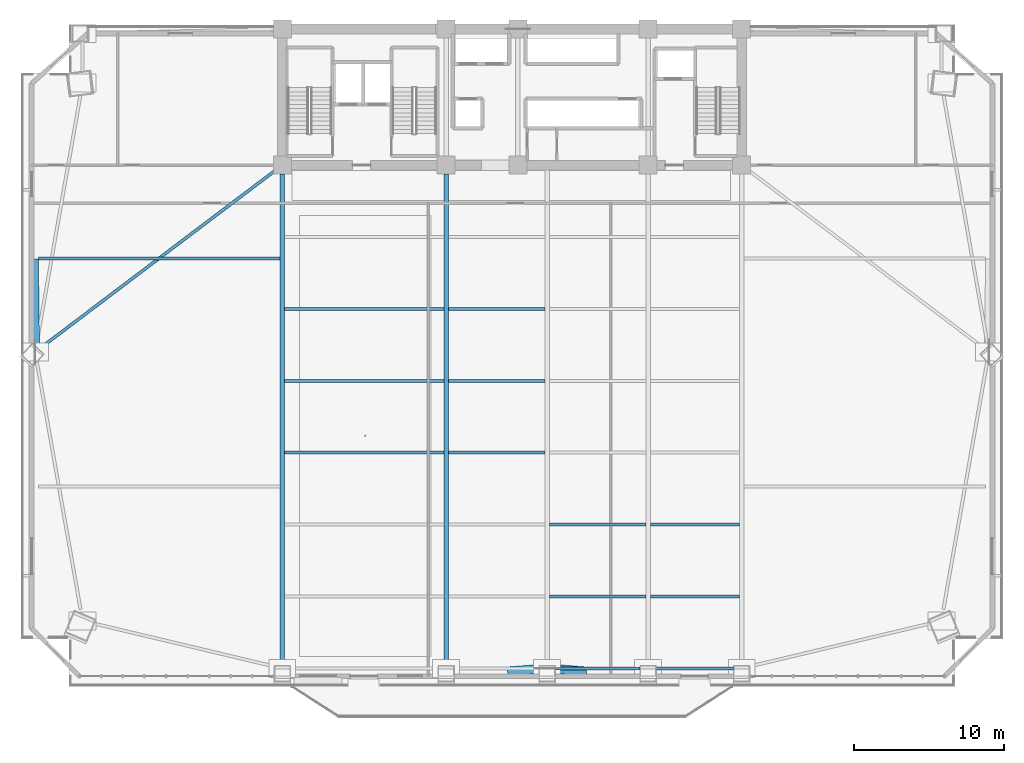
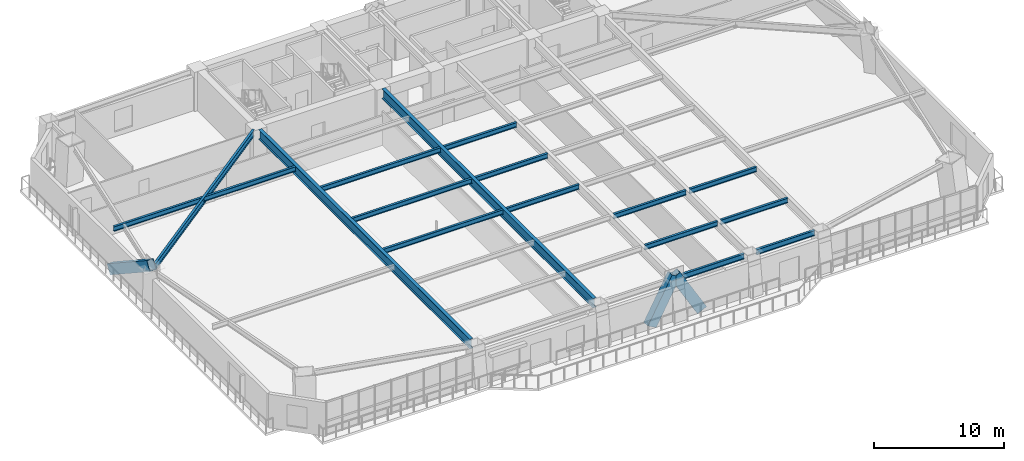
# One storey, part 5 of 17: 16 beams, 3 members.
"""IFC4 building model written with IfcOpenShell, lengths in metres."""

from ifc_helpers import new_model, si_unit, direction, frame, origin, origin_2d, place, context, subcontext, project, spatial, hollow_rectangle, i_section, extrude, source, transform, mapped, material, material_profile, profile_set, type_object, element, save


model = new_model("IFC4")

# Units and contexts
model_context = context("Model", 3, precision=1e-05, world=origin(), true_north=direction((0.0, 1.0)))
body_context = subcontext(model_context, "Body", "Model", "MODEL_VIEW")
ifc_project = project(units=[si_unit("LENGTHUNIT", "METRE"), si_unit("AREAUNIT", "SQUARE_METRE"), si_unit("VOLUMEUNIT", "CUBIC_METRE"), si_unit("PLANEANGLEUNIT", "RADIAN"), si_unit("MASSUNIT", "GRAM", prefix="KILO")], contexts=[model_context])

# Site, building, storey
site_placement = place(None, origin())
site = spatial("IfcSite", under=ifc_project, at=site_placement, CompositionType="ELEMENT")
building_placement = place(site_placement, origin())
building = spatial("IfcBuilding", under=site, at=building_placement, Name="Giltprow Tower", CompositionType="ELEMENT")
storey_placement = place(building_placement, frame((0.0, 0.0, 33.199951171875)))
storey = spatial("IfcBuildingStorey", under=building, at=storey_placement, Name="L08", CompositionType="ELEMENT", Elevation=33.199951171875)

# Beams
ifc_material_1 = material(Name="Structural steel Q355B", Category="steel")
ifc_material_profile_1 = material_profile(ifc_material_1, i_section(OverallWidth=0.199951171875, OverallDepth=0.5, WebThickness=0.010009765625, FlangeThickness=0.01611328125, at=origin_2d()), Name="HN 500x200x10x16")
ifc_profile_set_1 = profile_set([ifc_material_profile_1], Name="Structural steel Q355B")
beam_type_1 = type_object("IfcBeamType", Name="BM-SPAN-HN500", PredefinedType="SPANDREL", material=ifc_profile_set_1)
shared_shape_1 = source(origin(), body_context, "Body", "SweptSolid", [
    extrude(i_section(OverallWidth=0.199951171875, OverallDepth=0.5, WebThickness=0.010009765625, FlangeThickness=0.01611328125, at=origin_2d()), origin(), (0.0, 0.0, 1.0), 5.679931640625),
])
beam_1_placement = place(storey_placement, frame((38.0849609375, 3.826904296875, 3.429931640625), z_axis=(1.0, 0.0, 0.0), x_axis=(0.0, 1.0, 0.0)))
element("IfcBeam", 1, at=beam_1_placement, inside=storey, type_object=beam_type_1, Name="L08 Perimeter Spandrel Beam S_MID-S3", PredefinedType="SPANDREL", context=body_context, shape_type="MappedRepresentation", body=[
    mapped(shared_shape_1, transform((0.0, 0.0, 0.0), x_axis=(1.0, 0.0, 0.0), y_axis=(0.0, 1.0, 0.0), z_axis=(0.0, 0.0, 1.0), scale=1.0)),
])
shared_shape_2 = source(origin(), body_context, "Body", "SweptSolid", [
    extrude(i_section(OverallWidth=0.199951171875, OverallDepth=0.5, WebThickness=0.010009765625, FlangeThickness=0.01611328125, at=origin_2d()), origin(), (0.0, 0.0, 1.0), 5.179931640625),
])
beam_2_placement = place(storey_placement, frame((44.8349609375, 3.826904296875, 3.429931640625), z_axis=(1.0, 0.0, 0.0), x_axis=(0.0, 1.0, 0.0)))
element("IfcBeam", 2, at=beam_2_placement, inside=storey, type_object=beam_type_1, Name="L08 Perimeter Spandrel Beam S3-S4", PredefinedType="SPANDREL", context=body_context, shape_type="MappedRepresentation", body=[
    mapped(shared_shape_2, transform((0.0, 0.0, 0.0), x_axis=(1.0, 0.0, 0.0), y_axis=(0.0, 1.0, 0.0), z_axis=(0.0, 0.0, 1.0), scale=1.0)),
])
ifc_material_profile_2 = material_profile(ifc_material_1, i_section(OverallWidth=0.199951171875, OverallDepth=0.449951171875, WebThickness=0.009033203125, FlangeThickness=0.013916015625, at=origin_2d()), Name="HN 450x200x9x14")
ifc_profile_set_2 = profile_set([ifc_material_profile_2], Name="Structural steel Q355B")
beam_type_2 = type_object("IfcBeamType", Name="BM-JOIST-HN450", PredefinedType="JOIST", material=ifc_profile_set_2)
shared_shape_3 = source(origin(), body_context, "Body", "SweptSolid", [
    extrude(i_section(OverallWidth=0.199951171875, OverallDepth=0.449951171875, WebThickness=0.009033203125, FlangeThickness=0.013916015625, at=origin_2d()), origin(), (0.0, 0.0, 1.0), 10.659912109375),
])
for number, where, z_axis, x_axis, name in (
    (3, (19.9951171875, 18.237060546875, 3.455078125), (1.0, 0.0, 0.0), (0.0, 1.0, 0.0), "L08 Composite Floor Joist 3-1"),
    (4, (19.9951171875, 23.0400390625, 3.455078125), (1.0, 0.0, 0.0), (0.0, 1.0, 0.0), "L08 Composite Floor Joist 4-1"),
    (5, (19.9951171875, 27.843017578125, 3.455078125), (1.0, 0.0, 0.0), (0.0, 1.0, 0.0), "L08 Composite Floor Joist 5-1"),
):
    element("IfcBeam", number, at=place(storey_placement, frame(where, z_axis=z_axis, x_axis=x_axis)), inside=storey, type_object=beam_type_2, Name=name, PredefinedType="JOIST", context=body_context, shape_type="MappedRepresentation", body=[
        mapped(shared_shape_3, transform((0.0, 0.0, 0.0), x_axis=(1.0, 0.0, 0.0), y_axis=(0.0, 1.0, 0.0), z_axis=(0.0, 0.0, 1.0), scale=1.0)),
    ])
shared_shape_4 = source(origin(), body_context, "Body", "SweptSolid", [
    extrude(i_section(OverallWidth=0.199951171875, OverallDepth=0.449951171875, WebThickness=0.009033203125, FlangeThickness=0.013916015625, at=origin_2d()), origin(), (0.0, 0.0, 1.0), 6.4599609375),
])
for number, where, z_axis, x_axis, name in (
    (6, (37.695068359375, 8.6298828125, 3.455078125), (1.0, 0.0, 0.0), (0.0, 1.0, 0.0), "L08 Composite Floor Joist 1-3"),
    (7, (37.695068359375, 13.43408203125, 3.455078125), (1.0, 0.0, 0.0), (0.0, 1.0, 0.0), "L08 Composite Floor Joist 2-3"),
    (8, (30.945068359375, 18.237060546875, 3.455078125), (1.0, 0.0, 0.0), (0.0, 1.0, 0.0), "L08 Composite Floor Joist 3-2"),
    (9, (30.945068359375, 23.0400390625, 3.455078125), (1.0, 0.0, 0.0), (0.0, 1.0, 0.0), "L08 Composite Floor Joist 4-2"),
    (10, (30.945068359375, 27.843017578125, 3.455078125), (1.0, 0.0, 0.0), (0.0, 1.0, 0.0), "L08 Composite Floor Joist 5-2"),
):
    element("IfcBeam", number, at=place(storey_placement, frame(where, z_axis=z_axis, x_axis=x_axis)), inside=storey, type_object=beam_type_2, Name=name, PredefinedType="JOIST", context=body_context, shape_type="MappedRepresentation", body=[
        mapped(shared_shape_4, transform((0.0, 0.0, 0.0), x_axis=(1.0, 0.0, 0.0), y_axis=(0.0, 1.0, 0.0), z_axis=(0.0, 0.0, 1.0), scale=1.0)),
    ])
shared_shape_5 = source(origin(), body_context, "Body", "SweptSolid", [
    extrude(i_section(OverallWidth=0.199951171875, OverallDepth=0.449951171875, WebThickness=0.009033203125, FlangeThickness=0.013916015625, at=origin_2d()), origin(), (0.0, 0.0, 1.0), 5.9599609375),
])
for number, where, z_axis, x_axis, name in (
    (11, (44.445068359375, 8.6298828125, 3.455078125), (1.0, 0.0, 0.0), (0.0, 1.0, 0.0), "L08 Composite Floor Joist 1-4"),
    (12, (44.445068359375, 13.43408203125, 3.455078125), (1.0, 0.0, 0.0), (0.0, 1.0, 0.0), "L08 Composite Floor Joist 2-4"),
):
    element("IfcBeam", number, at=place(storey_placement, frame(where, z_axis=z_axis, x_axis=x_axis)), inside=storey, type_object=beam_type_2, Name=name, PredefinedType="JOIST", context=body_context, shape_type="MappedRepresentation", body=[
        mapped(shared_shape_5, transform((0.0, 0.0, 0.0), x_axis=(1.0, 0.0, 0.0), y_axis=(0.0, 1.0, 0.0), z_axis=(0.0, 0.0, 1.0), scale=1.0)),
    ])
ifc_material_profile_3 = material_profile(ifc_material_1, i_section(OverallWidth=0.300048828125, OverallDepth=0.89990234375, WebThickness=0.01611328125, FlangeThickness=0.028076171875, at=origin_2d()), Name="HN 900x300x16x28")
ifc_profile_set_3 = profile_set([ifc_material_profile_3], Name="Structural steel Q355B")
beam_type_3 = type_object("IfcBeamType", Name="BM-GIRD-HN900", PredefinedType="BEAM", material=ifc_profile_set_3)
shared_shape_6 = source(origin(), body_context, "Body", "SweptSolid", [
    extrude(i_section(OverallWidth=0.300048828125, OverallDepth=0.89990234375, WebThickness=0.01611328125, FlangeThickness=0.028076171875, at=origin_2d()), origin(), (0.0, 0.0, 1.0), 32.5029296875),
])
for number, where, z_axis, x_axis, name in (
    (13, (19.85009765625, 4.362060546875, 3.22998046875), (0.0, 1.0, 0.0), (-1.0, 0.0, 0.0), "L08 Primary Lease Girder S1"),
    (14, (30.800048828125, 4.362060546875, 3.22998046875), (0.0, 1.0, 0.0), (-1.0, 0.0, 0.0), "L08 Primary Lease Girder S2"),
):
    element("IfcBeam", number, at=place(storey_placement, frame(where, z_axis=z_axis, x_axis=x_axis)), inside=storey, type_object=beam_type_3, Name=name, PredefinedType="BEAM", context=body_context, shape_type="MappedRepresentation", body=[
        mapped(shared_shape_6, transform((0.0, 0.0, 0.0), x_axis=(1.0, 0.0, 0.0), y_axis=(0.0, 1.0, 0.0), z_axis=(0.0, 0.0, 1.0), scale=1.0)),
    ])
ifc_material_profile_4 = material_profile(ifc_material_1, i_section(OverallWidth=0.199951171875, OverallDepth=0.60009765625, WebThickness=0.010986328125, FlangeThickness=0.01708984375, at=origin_2d()), Name="HN 600x200x11x17")
ifc_profile_set_4 = profile_set([ifc_material_profile_4], Name="Structural steel Q355B")
beam_type_4 = type_object("IfcBeamType", Name="BM-GIRD-HN600", PredefinedType="BEAM", material=ifc_profile_set_4)
shared_shape_7 = source(origin(), body_context, "Body", "SweptSolid", [
    extrude(i_section(OverallWidth=0.199951171875, OverallDepth=0.60009765625, WebThickness=0.010986328125, FlangeThickness=0.01708984375, at=origin_2d()), origin(), (0.0, 0.0, 1.0), 19.583740234375),
])
beam_3_placement = place(storey_placement, frame((3.761962890625, 25.285888671875, 3.380126953125), z_axis=(0.797660208942, 0.603107114094, 0.0), x_axis=(-0.603107114094, 0.797660208942, 0.0)))
element("IfcBeam", 15, at=beam_3_placement, inside=storey, type_object=beam_type_4, Name="L08 West Wing Primary Girder", PredefinedType="BEAM", context=body_context, shape_type="MappedRepresentation", body=[
    mapped(shared_shape_7, transform((0.0, 0.0, 0.0), x_axis=(1.0, 0.0, 0.0), y_axis=(0.0, 1.0, 0.0), z_axis=(0.0, 0.0, 1.0), scale=1.0)),
])
shared_shape_8 = source(origin(), body_context, "Body", "SweptSolid", [
    extrude(i_section(OverallWidth=0.199951171875, OverallDepth=0.449951171875, WebThickness=0.009033203125, FlangeThickness=0.013916015625, at=origin_2d()), origin(), (0.0, 0.0, 1.0), 16.150146484375),
])
beam_4_placement = place(storey_placement, frame((3.554931640625, 31.20703125, 3.455078125), z_axis=(1.0, 0.0, 0.0), x_axis=(0.0, 1.0, 0.0)))
element("IfcBeam", 16, at=beam_4_placement, inside=storey, type_object=beam_type_2, Name="L08 West Wing Floor Joist 2", PredefinedType="JOIST", context=body_context, shape_type="MappedRepresentation", body=[
    mapped(shared_shape_8, transform((0.0, 0.0, 0.0), x_axis=(1.0, 0.0, 0.0), y_axis=(0.0, 1.0, 0.0), z_axis=(0.0, 0.0, 1.0), scale=1.0)),
])

# Members
ifc_material_2 = material(Name="Structural steel Q420GJC", Category="steel")
ifc_material_profile_5 = material_profile(ifc_material_2, hollow_rectangle(XDim=0.60009765625, YDim=0.89990234375, WallThickness=0.0400390625, at=origin_2d()), Name="RHS 900x600x40")
ifc_profile_set_5 = profile_set([ifc_material_profile_5], Name="Structural steel Q420GJC")
member_type = type_object("IfcMemberType", Name="MBR-MEGA-RHS900", PredefinedType="BRACE", material=ifc_profile_set_5)
shared_shape_9 = source(origin(), body_context, "Body", "SweptSolid", [
    extrude(hollow_rectangle(XDim=0.60009765625, YDim=0.89990234375, WallThickness=0.0400390625, at=origin_2d()), origin(), (0.0, 0.0, 1.0), 4.506103515625),
])
for number, where, z_axis, x_axis, name in (
    (17, (35.300048828125, 3.65087890625, 0.0), (0.499326947397, 0.039064098207, 0.865532550419), (-0.077995186993, 0.996953735539, 0.0), "L08 Chevron Mega-Brace S-L"),
    (18, (39.800048828125, 3.65087890625, 0.0), (-0.499326947397, 0.039064098207, 0.865532550419), (-0.077995186993, -0.996953735539, 0.0), "L08 Chevron Mega-Brace S-R"),
):
    element("IfcMember", number, at=place(storey_placement, frame(where, z_axis=z_axis, x_axis=x_axis)), inside=storey, type_object=member_type, Name=name, PredefinedType="BRACE", context=body_context, shape_type="MappedRepresentation", body=[
        mapped(shared_shape_9, transform((0.0, 0.0, 0.0), x_axis=(1.0, 0.0, 0.0), y_axis=(0.0, 1.0, 0.0), z_axis=(0.0, 0.0, 1.0), scale=1.0)),
    ])
shared_shape_10 = source(origin(), body_context, "Body", "SweptSolid", [
    extrude(hollow_rectangle(XDim=0.60009765625, YDim=0.89990234375, WallThickness=0.0400390625, at=origin_2d()), origin(), (0.0, 0.0, 1.0), 7.138916015625),
])
member_placement = place(storey_placement, frame((3.257080078125, 30.94189453125, 0.0), z_axis=(0.01090917118, -0.837509724766, 0.546313509724), x_axis=(0.999915176041, 0.013024619892, 0.0)))
element("IfcMember", 19, at=member_placement, inside=storey, type_object=member_type, Name="L08 Chevron Mega-Brace W-R", PredefinedType="BRACE", context=body_context, shape_type="MappedRepresentation", body=[
    mapped(shared_shape_10, transform((0.0, 0.0, 0.0), x_axis=(1.0, 0.0, 0.0), y_axis=(0.0, 1.0, 0.0), z_axis=(0.0, 0.0, 1.0), scale=1.0)),
])

save(model, "model.ifc")
